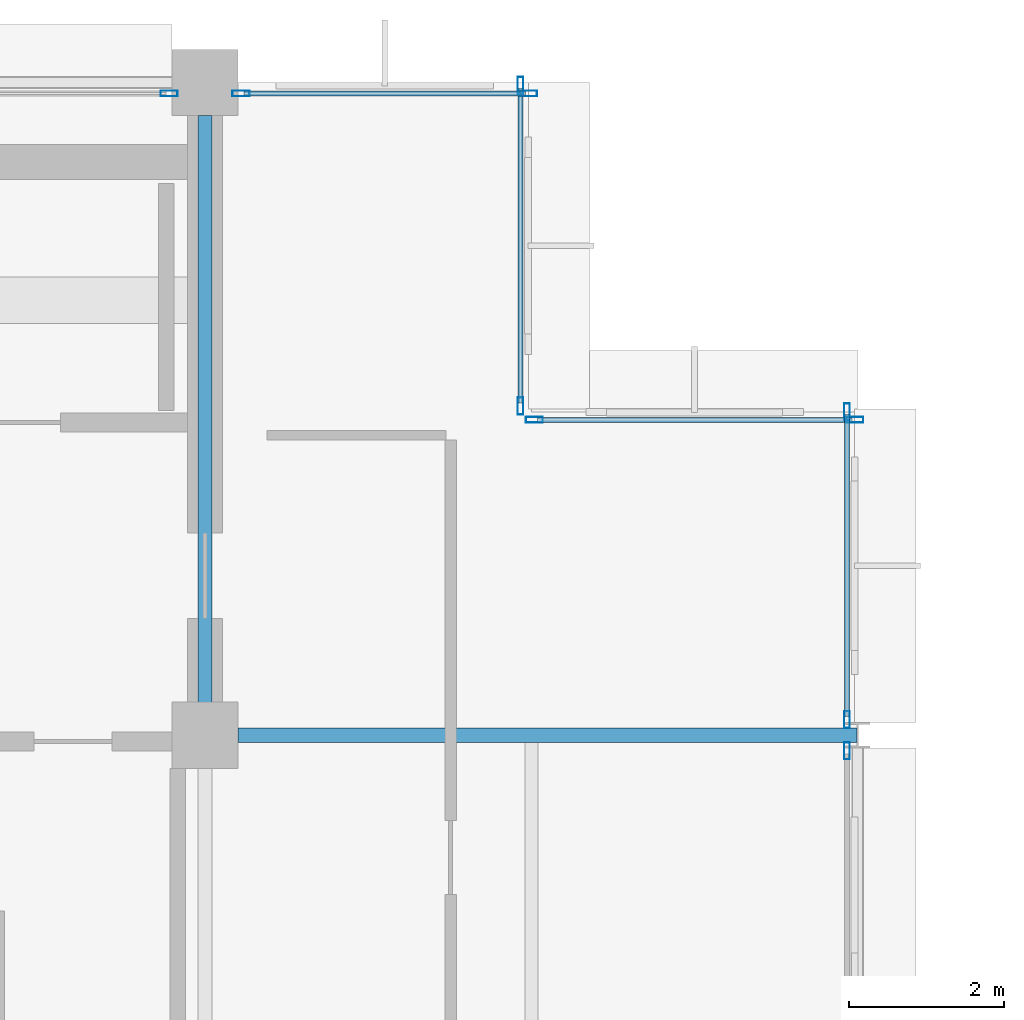
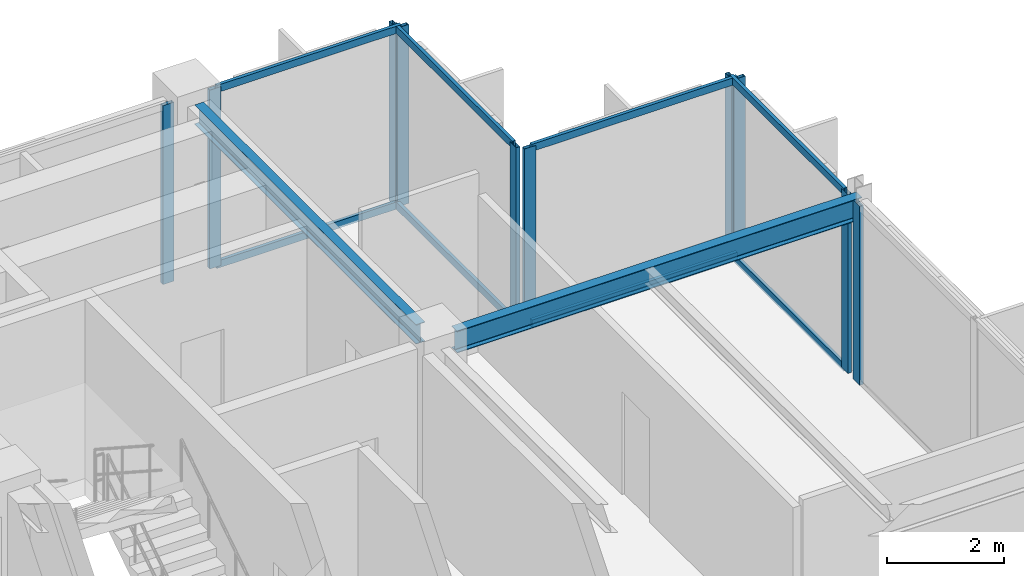
# One storey, part 15 of 23: 18 members, 2 beams, 6 elements without a shape of their own.
"""IFC4 building model written with IfcOpenShell, lengths in metres."""

from ifc_helpers import new_model, si_unit, direction, frame, origin, origin_2d, place, context, subcontext, project, spatial, hollow_rectangle, i_section, extrude, material, layer, layer_set, material_profile, profile_set, type_object, element, aggregate, save


model = new_model("IFC4")

# Units and contexts
model_context = context("Model", 3, precision=1e-05, world=origin(), true_north=direction((0.0, 1.0)))
body_context = subcontext(model_context, "Body", "Model", "MODEL_VIEW")
ifc_project = project(units=[si_unit("LENGTHUNIT", "METRE"), si_unit("AREAUNIT", "SQUARE_METRE"), si_unit("VOLUMEUNIT", "CUBIC_METRE"), si_unit("PLANEANGLEUNIT", "RADIAN"), si_unit("MASSUNIT", "GRAM", prefix="KILO")], contexts=[model_context])

# Site, building, storey
site_placement = place(None, origin())
site = spatial("IfcSite", under=ifc_project, at=site_placement, CompositionType="ELEMENT")
building_placement = place(site_placement, origin())
building = spatial("IfcBuilding", under=site, at=building_placement, Name="Nerrivon Quay Data Exchange", CompositionType="ELEMENT")
storey_placement = place(building_placement, frame((0.0, 0.0, 286.199951171875)))
storey = spatial("IfcBuildingStorey", under=building, at=storey_placement, Name="L68", CompositionType="ELEMENT", Elevation=286.199951171875)

# Beams
ifc_material_1 = material(Name="Steel Grade 350", Category="steel")
ifc_material_profile_1 = material_profile(ifc_material_1, i_section(OverallWidth=0.18994140625, OverallDepth=0.4541015625, WebThickness=0.008544921875, FlangeThickness=0.0126953125, FilletRadius=0.011474609375, at=origin_2d()), Name="460UB67.1")
ifc_profile_set_1 = profile_set([ifc_material_profile_1], Name="Steel Grade 350")
beam_type_1 = type_object("IfcBeamType", Name="BM-G6-460UB67", PredefinedType="BEAM", material=ifc_profile_set_1)
beam_1_placement = place(storey_placement, frame((17.22509765625, 33.60009765625, 3.498046875), z_axis=(1.0, 0.0, 0.0), x_axis=(0.0, 1.0, 0.0)))
element("IfcBeam", 1, at=beam_1_placement, inside=storey, type_object=beam_type_1, Name="L68 EW Girder Y=33.6 (16.8..25.2)", PredefinedType="BEAM", context=body_context, shape_type="SweptSolid", body=[
    extrude(i_section(OverallWidth=0.18994140625, OverallDepth=0.4541015625, WebThickness=0.008544921875, FlangeThickness=0.0126953125, FilletRadius=0.011474609375, at=origin_2d()), origin(), (0.0, 0.0, 1.0), 7.967041015625),
])
ifc_material_profile_2 = material_profile(ifc_material_1, i_section(OverallWidth=0.177978515625, OverallDepth=0.406005859375, WebThickness=0.0078125, FlangeThickness=0.0126953125, FilletRadius=0.011474609375, at=origin_2d()), Name="410UB59.7")
ifc_profile_set_2 = profile_set([ifc_material_profile_2], Name="Steel Grade 350")
beam_type_2 = type_object("IfcBeamType", Name="BM-J1-410UB60", PredefinedType="JOIST", material=ifc_profile_set_2)
beam_2_placement = place(storey_placement, frame((16.800048828125, 34.02490234375, 3.52197265625), z_axis=(0.0, 1.0, 0.0), x_axis=(-1.0, 0.0, 0.0)))
element("IfcBeam", 2, at=beam_2_placement, inside=storey, type_object=beam_type_2, Name="L68 NS Girder X=16.8 (33.6..42.0)", PredefinedType="JOIST", context=body_context, shape_type="SweptSolid", body=[
    extrude(i_section(OverallWidth=0.177978515625, OverallDepth=0.406005859375, WebThickness=0.0078125, FlangeThickness=0.0126953125, FilletRadius=0.011474609375, at=origin_2d()), origin(), (0.0, 0.0, 1.0), 7.550048828125),
])

# Curtain wall, member
ifc_material_2 = material(Name="Anodised aluminium 6063-T6", Category="aluminium")
ifc_layer = layer(ifc_material_2, 0.22998046875)
ifc_layer_set = layer_set([ifc_layer], Name="Anodised aluminium 6063-T6")
curtain_wall_type = type_object("IfcCurtainWallType", Name="CW-SYS-05", PredefinedType="NOTDEFINED", material=ifc_layer_set)
curtain_wall_1_placement = place(storey_placement, origin())
curtain_wall_1 = element("IfcCurtainWall", 3, at=curtain_wall_1_placement, inside=storey, type_object=curtain_wall_type, Name="L68 Unitised Curtain Wall 17", PredefinedType="NOTDEFINED")
ifc_material_profile_3 = material_profile(ifc_material_2, hollow_rectangle(XDim=0.074951171875, YDim=0.219970703125, WallThickness=0.00390625, at=origin_2d()), Name="ALU-MULL-220x75")
ifc_profile_set_3 = profile_set([ifc_material_profile_3], Name="Anodised aluminium 6063-T6")
member_type_1 = type_object("IfcMemberType", Name="CWM-220x75", PredefinedType="MULLION", material=ifc_profile_set_3)
member_1_placement = place(storey_placement, frame((16.33740234375, 41.860107421875, 0.0), z_axis=(0.0, 0.0, 1.0), x_axis=(0.0, 1.0, 0.0)))
member_1 = element("IfcMember", 4, at=member_1_placement, type_object=member_type_1, Name="CW05 mullion 3", PredefinedType="MULLION", context=body_context, shape_type="SweptSolid", body=[
    extrude(hollow_rectangle(XDim=0.074951171875, YDim=0.219970703125, WallThickness=0.00390625, at=origin_2d()), origin(), (0.0, 0.0, 1.0), 3.72509765625),
])
aggregate(curtain_wall_1, [member_1])

# Curtain wall, members
curtain_wall_2_placement = place(storey_placement, origin())
curtain_wall_2 = element("IfcCurtainWall", 5, at=curtain_wall_2_placement, inside=storey, type_object=curtain_wall_type, Name="L68 Unitised Curtain Wall 18", PredefinedType="NOTDEFINED")
member_2_placement = place(storey_placement, frame((17.262451171875, 41.860107421875, 0.0), z_axis=(0.0, 0.0, 1.0), x_axis=(0.0, 1.0, 0.0)))
member_2 = element("IfcMember", 6, at=member_2_placement, type_object=member_type_1, Name="CW05 mullion 1", PredefinedType="MULLION", context=body_context, shape_type="SweptSolid", body=[
    extrude(hollow_rectangle(XDim=0.074951171875, YDim=0.219970703125, WallThickness=0.00390625, at=origin_2d()), origin(), (0.0, 0.0, 1.0), 3.72509765625),
])
member_3_placement = place(storey_placement, frame((20.96240234375, 41.860107421875, 0.0), z_axis=(0.0, 0.0, 1.0), x_axis=(0.0, 1.0, 0.0)))
member_3 = element("IfcMember", 7, at=member_3_placement, type_object=member_type_1, Name="CW05 mullion 2", PredefinedType="MULLION", context=body_context, shape_type="SweptSolid", body=[
    extrude(hollow_rectangle(XDim=0.074951171875, YDim=0.219970703125, WallThickness=0.00390625, at=origin_2d()), origin(), (0.0, 0.0, 1.0), 3.72509765625),
])

curtain_wall_3_placement = place(storey_placement, origin())
curtain_wall_3 = element("IfcCurtainWall", 8, at=curtain_wall_3_placement, inside=storey, type_object=curtain_wall_type, Name="L68 Unitised Curtain Wall 19", PredefinedType="NOTDEFINED")
member_4_placement = place(storey_placement, frame((20.860107421875, 41.96240234375, 0.0), z_axis=(0.0, 0.0, 1.0), x_axis=(1.0, 0.0, 0.0)))
member_4 = element("IfcMember", 9, at=member_4_placement, type_object=member_type_1, Name="CW05 mullion 1", PredefinedType="MULLION", context=body_context, shape_type="SweptSolid", body=[
    extrude(hollow_rectangle(XDim=0.074951171875, YDim=0.219970703125, WallThickness=0.00390625, at=origin_2d()), origin(), (0.0, 0.0, 1.0), 3.72509765625),
])
member_5_placement = place(storey_placement, frame((20.860107421875, 37.83740234375, 0.0), z_axis=(0.0, 0.0, 1.0), x_axis=(1.0, 0.0, 0.0)))
member_5 = element("IfcMember", 10, at=member_5_placement, type_object=member_type_1, Name="CW05 mullion 2", PredefinedType="MULLION", context=body_context, shape_type="SweptSolid", body=[
    extrude(hollow_rectangle(XDim=0.074951171875, YDim=0.219970703125, WallThickness=0.00390625, at=origin_2d()), origin(), (0.0, 0.0, 1.0), 3.72509765625),
])

curtain_wall_4_placement = place(storey_placement, origin())
curtain_wall_4 = element("IfcCurtainWall", 11, at=curtain_wall_4_placement, inside=storey, type_object=curtain_wall_type, Name="L68 Unitised Curtain Wall 20", PredefinedType="NOTDEFINED")
member_6_placement = place(storey_placement, frame((21.03759765625, 37.659912109375, 0.0), z_axis=(0.0, 0.0, 1.0), x_axis=(0.0, 1.0, 0.0)))
member_6 = element("IfcMember", 12, at=member_6_placement, type_object=member_type_1, Name="CW05 mullion 1", PredefinedType="MULLION", context=body_context, shape_type="SweptSolid", body=[
    extrude(hollow_rectangle(XDim=0.074951171875, YDim=0.219970703125, WallThickness=0.00390625, at=origin_2d()), origin(), (0.0, 0.0, 1.0), 3.72509765625),
])
member_7_placement = place(storey_placement, frame((25.16259765625, 37.659912109375, 0.0), z_axis=(0.0, 0.0, 1.0), x_axis=(0.0, 1.0, 0.0)))
member_7 = element("IfcMember", 13, at=member_7_placement, type_object=member_type_1, Name="CW05 mullion 2", PredefinedType="MULLION", context=body_context, shape_type="SweptSolid", body=[
    extrude(hollow_rectangle(XDim=0.074951171875, YDim=0.219970703125, WallThickness=0.00390625, at=origin_2d()), origin(), (0.0, 0.0, 1.0), 3.72509765625),
])

curtain_wall_5_placement = place(storey_placement, origin())
curtain_wall_5 = element("IfcCurtainWall", 14, at=curtain_wall_5_placement, inside=storey, type_object=curtain_wall_type, Name="L68 Unitised Curtain Wall 21", PredefinedType="NOTDEFINED")
member_8_placement = place(storey_placement, frame((25.06005859375, 37.762451171875, 0.0), z_axis=(0.0, 0.0, 1.0), x_axis=(1.0, 0.0, 0.0)))
member_8 = element("IfcMember", 15, at=member_8_placement, type_object=member_type_1, Name="CW05 mullion 1", PredefinedType="MULLION", context=body_context, shape_type="SweptSolid", body=[
    extrude(hollow_rectangle(XDim=0.074951171875, YDim=0.219970703125, WallThickness=0.00390625, at=origin_2d()), origin(), (0.0, 0.0, 1.0), 3.72509765625),
])
member_9_placement = place(storey_placement, frame((25.06005859375, 33.801025390625, 0.0), z_axis=(0.0, 0.0, 1.0), x_axis=(1.0, 0.0, 0.0)))
member_9 = element("IfcMember", 16, at=member_9_placement, type_object=member_type_1, Name="CW05 mullion 2", PredefinedType="MULLION", context=body_context, shape_type="SweptSolid", body=[
    extrude(hollow_rectangle(XDim=0.074951171875, YDim=0.219970703125, WallThickness=0.00390625, at=origin_2d()), origin(), (0.0, 0.0, 1.0), 3.72509765625),
])

# Curtain wall, member
curtain_wall_6_placement = place(storey_placement, origin())
curtain_wall_6 = element("IfcCurtainWall", 17, at=curtain_wall_6_placement, inside=storey, type_object=curtain_wall_type, Name="L68 Unitised Curtain Wall 22", PredefinedType="NOTDEFINED")
member_10_placement = place(storey_placement, frame((25.06005859375, 33.39892578125, 0.0), z_axis=(0.0, 0.0, 1.0), x_axis=(1.0, 0.0, 0.0)))
member_10 = element("IfcMember", 18, at=member_10_placement, type_object=member_type_1, Name="CW05 mullion 1", PredefinedType="MULLION", context=body_context, shape_type="SweptSolid", body=[
    extrude(hollow_rectangle(XDim=0.074951171875, YDim=0.219970703125, WallThickness=0.00390625, at=origin_2d()), origin(), (0.0, 0.0, 1.0), 3.72509765625),
])
aggregate(curtain_wall_6, [member_10])

# Member
ifc_material_profile_4 = material_profile(ifc_material_2, hollow_rectangle(XDim=0.06494140625, YDim=0.14990234375, WallThickness=0.00341796875, at=origin_2d()), Name="ALU-TRAN-150x65")
ifc_profile_set_4 = profile_set([ifc_material_profile_4], Name="Anodised aluminium 6063-T6")
member_type_2 = type_object("IfcMemberType", Name="CWT-150x65", PredefinedType="USERDEFINED", material=ifc_profile_set_4)
member_11_placement = place(storey_placement, frame((17.300048828125, 41.860107421875, 0.032470703125), z_axis=(1.0, 0.0, 0.0), x_axis=(0.0, 1.0, 0.0)))
member_11 = element("IfcMember", 19, at=member_11_placement, type_object=member_type_2, Name="CW05 transom 1.1", ObjectType="TRANSOM", PredefinedType="USERDEFINED", context=body_context, shape_type="SweptSolid", body=[
    extrude(hollow_rectangle(XDim=0.06494140625, YDim=0.14990234375, WallThickness=0.00341796875, at=origin_2d()), origin(), (0.0, 0.0, 1.0), 3.625),
])

member_12_placement = place(storey_placement, frame((17.300048828125, 41.860107421875, 3.692626953125), z_axis=(1.0, 0.0, 0.0), x_axis=(0.0, 1.0, 0.0)))
member_12 = element("IfcMember", 20, at=member_12_placement, type_object=member_type_2, Name="CW05 transom 1.2", ObjectType="TRANSOM", PredefinedType="USERDEFINED", context=body_context, shape_type="SweptSolid", body=[
    extrude(hollow_rectangle(XDim=0.06494140625, YDim=0.14990234375, WallThickness=0.00341796875, at=origin_2d()), origin(), (0.0, 0.0, 1.0), 3.625),
])

aggregate(curtain_wall_2, [member_2, member_3, member_11, member_12])

member_13_placement = place(storey_placement, frame((20.860107421875, 41.925048828125, 0.032470703125), z_axis=(0.0, -1.0, 0.0), x_axis=(1.0, 0.0, 0.0)))
member_13 = element("IfcMember", 21, at=member_13_placement, type_object=member_type_2, Name="CW05 transom 1.1", ObjectType="TRANSOM", PredefinedType="USERDEFINED", context=body_context, shape_type="SweptSolid", body=[
    extrude(hollow_rectangle(XDim=0.06494140625, YDim=0.14990234375, WallThickness=0.00341796875, at=origin_2d()), origin(), (0.0, 0.0, 1.0), 4.050048828125),
])

member_14_placement = place(storey_placement, frame((20.860107421875, 41.925048828125, 3.692626953125), z_axis=(0.0, -1.0, 0.0), x_axis=(1.0, 0.0, 0.0)))
member_14 = element("IfcMember", 22, at=member_14_placement, type_object=member_type_2, Name="CW05 transom 1.2", ObjectType="TRANSOM", PredefinedType="USERDEFINED", context=body_context, shape_type="SweptSolid", body=[
    extrude(hollow_rectangle(XDim=0.06494140625, YDim=0.14990234375, WallThickness=0.00341796875, at=origin_2d()), origin(), (0.0, 0.0, 1.0), 4.050048828125),
])

aggregate(curtain_wall_3, [member_4, member_5, member_13, member_14])

member_15_placement = place(storey_placement, frame((21.074951171875, 37.659912109375, 0.032470703125), z_axis=(1.0, 0.0, 0.0), x_axis=(0.0, 1.0, 0.0)))
member_15 = element("IfcMember", 23, at=member_15_placement, type_object=member_type_2, Name="CW05 transom 1.1", ObjectType="TRANSOM", PredefinedType="USERDEFINED", context=body_context, shape_type="SweptSolid", body=[
    extrude(hollow_rectangle(XDim=0.06494140625, YDim=0.14990234375, WallThickness=0.00341796875, at=origin_2d()), origin(), (0.0, 0.0, 1.0), 4.050048828125),
])

member_16_placement = place(storey_placement, frame((21.074951171875, 37.659912109375, 3.692626953125), z_axis=(1.0, 0.0, 0.0), x_axis=(0.0, 1.0, 0.0)))
member_16 = element("IfcMember", 24, at=member_16_placement, type_object=member_type_2, Name="CW05 transom 1.2", ObjectType="TRANSOM", PredefinedType="USERDEFINED", context=body_context, shape_type="SweptSolid", body=[
    extrude(hollow_rectangle(XDim=0.06494140625, YDim=0.14990234375, WallThickness=0.00341796875, at=origin_2d()), origin(), (0.0, 0.0, 1.0), 4.050048828125),
])

aggregate(curtain_wall_4, [member_6, member_7, member_15, member_16])

member_17_placement = place(storey_placement, frame((25.06005859375, 37.72509765625, 0.032470703125), z_axis=(0.0, -1.0, 0.0), x_axis=(1.0, 0.0, 0.0)))
member_17 = element("IfcMember", 25, at=member_17_placement, type_object=member_type_2, Name="CW05 transom 1.1", ObjectType="TRANSOM", PredefinedType="USERDEFINED", context=body_context, shape_type="SweptSolid", body=[
    extrude(hollow_rectangle(XDim=0.06494140625, YDim=0.14990234375, WallThickness=0.00341796875, at=origin_2d()), origin(), (0.0, 0.0, 1.0), 3.88671875),
])

member_18_placement = place(storey_placement, frame((25.06005859375, 37.72509765625, 3.692626953125), z_axis=(0.0, -1.0, 0.0), x_axis=(1.0, 0.0, 0.0)))
member_18 = element("IfcMember", 26, at=member_18_placement, type_object=member_type_2, Name="CW05 transom 1.2", ObjectType="TRANSOM", PredefinedType="USERDEFINED", context=body_context, shape_type="SweptSolid", body=[
    extrude(hollow_rectangle(XDim=0.06494140625, YDim=0.14990234375, WallThickness=0.00341796875, at=origin_2d()), origin(), (0.0, 0.0, 1.0), 3.88671875),
])

aggregate(curtain_wall_5, [member_8, member_9, member_17, member_18])

save(model, "model.ifc")
